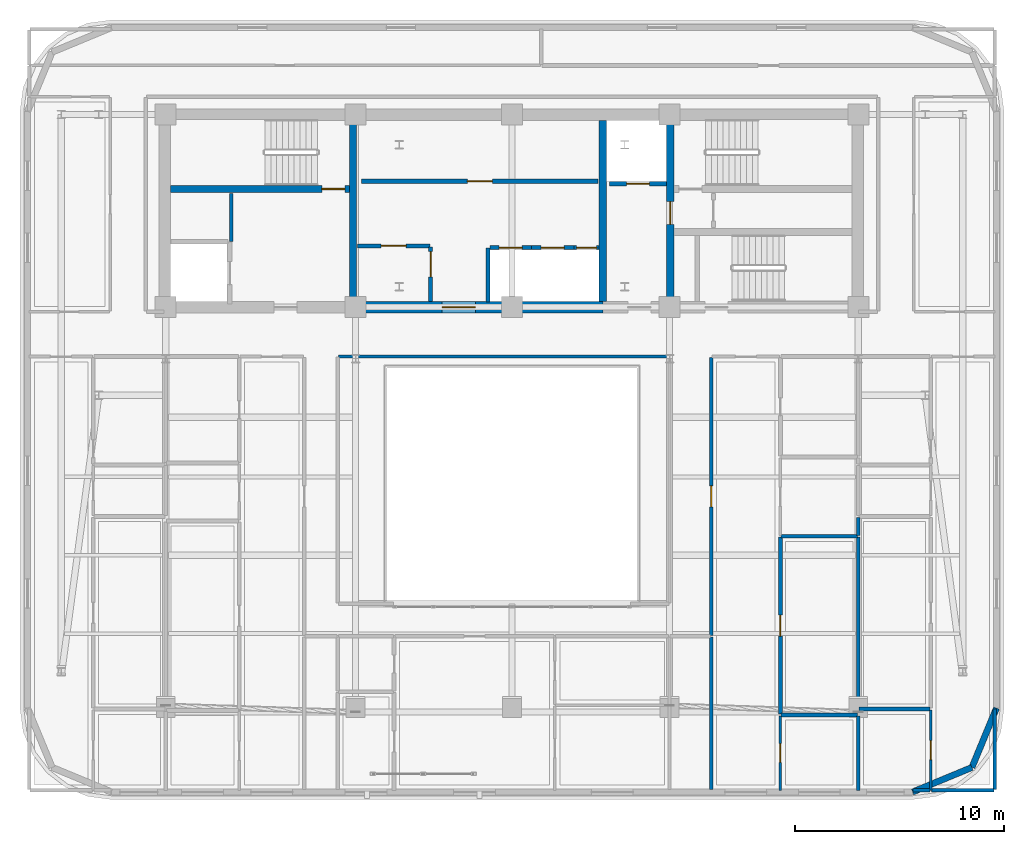
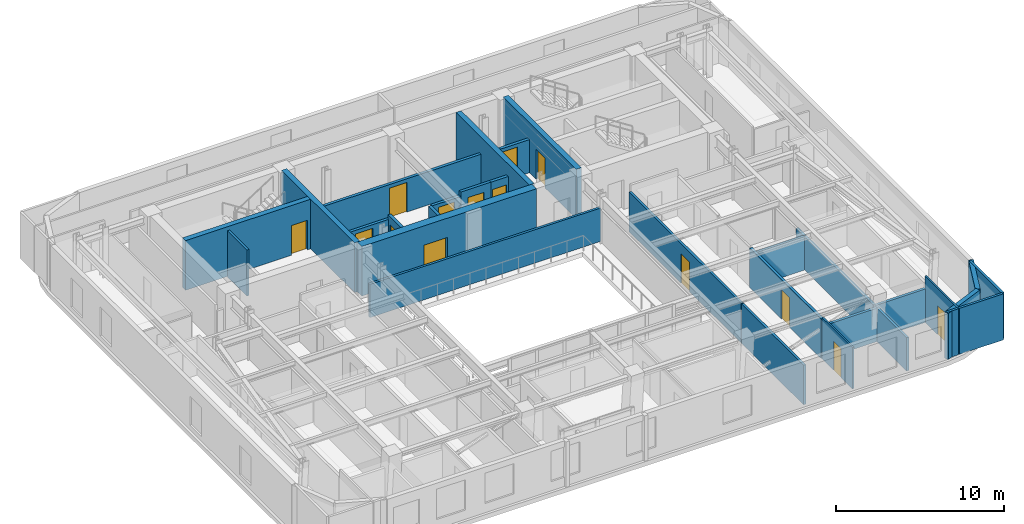
# One storey, part 8 of 14: 31 walls, 14 doors, 14 openings.
"""IFC4 building model written with IfcOpenShell, lengths in metres."""

import ifcopenshell
import ifcopenshell.guid

model = None  # the IFC model being written
_history = None  # IfcOwnerHistory: only IFC2X3 demands one
_inside = {}  # id of a spatial element -> (the spatial element, [elements in it])
_under = {}  # id of a project, library or spatial element -> (it, [spatial elements below it])
_declared = {}  # id of a project -> (the project, [libraries it declares])
_typed = {}  # id of a type object -> (the type object, [elements of that type])
_made_of = {}  # id of a material, layer set ... -> (it, [elements and type objects made of it])


def new_model(schema):
    """Start an empty IFC model of exactly this schema.

    Asked for "IFC4X3", IfcOpenShell would pick the latest addendum, in which some entities
    have other attributes; the version numbers below select the first issue.
    IFC2X3 requires an IfcOwnerHistory on every rooted entity: one is made here for all.
    """
    global model, _history
    if schema == "IFC4X3":
        model = ifcopenshell.file(schema_version=(4, 3, 0, 0))
    else:
        model = ifcopenshell.file(schema=schema)
    _inside.clear()
    _under.clear()
    _declared.clear()
    _typed.clear()
    _made_of.clear()
    _history = None
    if model.schema == "IFC2X3":
        org = make("IfcOrganization", Name="unknown")
        user = make(
            "IfcPersonAndOrganization",
            ThePerson=make("IfcPerson", FamilyName="unknown"),
            TheOrganization=org,
        )
        app = make(
            "IfcApplication",
            ApplicationDeveloper=org,
            Version="unknown",
            ApplicationFullName="unknown",
            ApplicationIdentifier="unknown",
        )
        _history = make(
            "IfcOwnerHistory",
            OwningUser=user,
            OwningApplication=app,
            ChangeAction="ADDED",
            CreationDate=0,
        )
    return model


def make(cls, **values):
    """One entity of the class cls with the attributes given. An attribute that is None is left unset."""
    return model.create_entity(
        cls, **{name: value for name, value in values.items() if value is not None}
    )


def rooted(cls, **values):
    """An entity with a GlobalId (a new one), such as an element, a storey or a relation."""
    return make(cls, GlobalId=ifcopenshell.guid.new(), OwnerHistory=_history, **values)


def si_unit(unit_type, name, prefix=None):
    """IfcSIUnit, for example si_unit("LENGTHUNIT", "METRE", prefix="MILLI")."""
    return make("IfcSIUnit", UnitType=unit_type, Prefix=prefix, Name=name)


def assignment(units):
    """IfcUnitAssignment: the units of a project."""
    return None if units is None else make("IfcUnitAssignment", Units=units)


def point(xyz):
    """IfcCartesianPoint."""
    return None if xyz is None else make("IfcCartesianPoint", Coordinates=xyz)


def direction(xyz):
    """IfcDirection."""
    return None if xyz is None else make("IfcDirection", DirectionRatios=xyz)


def frame(location, z_axis=None, x_axis=None):
    """IfcAxis2Placement3D, a coordinate frame: its origin and axes. An axis left out is left unset."""
    return make(
        "IfcAxis2Placement3D",
        Location=point(location),
        Axis=direction(z_axis),
        RefDirection=direction(x_axis),
    )


def frame_2d(location, x_axis=None):
    """IfcAxis2Placement2D, a coordinate frame in the plane: its origin and x axis."""
    return make(
        "IfcAxis2Placement2D", Location=point(location), RefDirection=direction(x_axis)
    )


def origin():
    """The frame at (0, 0, 0) with its axes left unset."""
    return frame((0.0, 0.0, 0.0))


def place(relative_to, where):
    """IfcLocalPlacement: puts the frame where relative to a parent placement (None: the world)."""
    return make(
        "IfcLocalPlacement", PlacementRelTo=relative_to, RelativePlacement=where
    )


def context(
    kind, dimensions, precision=None, world=None, true_north=None, identifier=None
):
    """IfcGeometricRepresentationContext, for example the 3D "Model" context."""
    return make(
        "IfcGeometricRepresentationContext",
        ContextIdentifier=identifier,
        ContextType=kind,
        CoordinateSpaceDimension=dimensions,
        Precision=precision,
        WorldCoordinateSystem=world,
        TrueNorth=true_north,
    )


def subcontext(parent, identifier, kind, view, scale=None):
    """IfcGeometricRepresentationSubContext, for example "Body" below "Model"."""
    return make(
        "IfcGeometricRepresentationSubContext",
        ContextIdentifier=identifier,
        ContextType=kind,
        ParentContext=parent,
        TargetScale=scale,
        TargetView=view,
    )


def project(units=None, contexts=None):
    """IfcProject with its units and contexts."""
    return rooted(
        "IfcProject",
        Name="project",
        RepresentationContexts=contexts,
        UnitsInContext=assignment(units),
    )


def spatial(cls, under=None, at=None, **own):
    """A site, building, storey or space (cls), placed at a placement, below another one or the project."""
    s = rooted(cls, ObjectPlacement=at, **own)
    if under is not None:
        _under.setdefault(under.id(), (under, []))[1].append(s)
    return s


def profile(cls, at=None, kind="AREA", **sizes):
    """A parametric profile (cls). Its sizes go by their IFC names, for example OverallWidth=200.0."""
    return make(cls, ProfileType=kind, Position=at, **sizes)


def rectangle(**sizes):
    """IfcRectangleProfileDef."""
    return profile("IfcRectangleProfileDef", **sizes)


def extrude(swept, where, along, depth):
    """IfcExtrudedAreaSolid: the profile swept, set in the frame where, extruded along a direction by depth."""
    return make(
        "IfcExtrudedAreaSolid",
        SweptArea=swept,
        Position=where,
        ExtrudedDirection=direction(along),
        Depth=depth,
    )


def shape(context_of_items, identifier, shape_type, items):
    """IfcShapeRepresentation: the items that make up one representation, for example the "Body"."""
    return make(
        "IfcShapeRepresentation",
        ContextOfItems=context_of_items,
        RepresentationIdentifier=identifier,
        RepresentationType=shape_type,
        Items=items,
    )


def material(Name=None, Category=None):
    """IfcMaterial."""
    return make("IfcMaterial", Name=Name, Category=Category)


def layer(
    of_material, thickness, ventilated=None, Name=None, Category=None, Priority=None
):
    """IfcMaterialLayer: one layer of a wall or slab, of a material (None: an air gap)."""
    return make(
        "IfcMaterialLayer",
        Material=of_material,
        LayerThickness=thickness,
        IsVentilated=ventilated,
        Name=Name,
        Category=Category,
        Priority=Priority,
    )


def layer_set(layers, Name=None):
    """IfcMaterialLayerSet."""
    return make("IfcMaterialLayerSet", MaterialLayers=layers, LayerSetName=Name)


def made_of(thing, what):
    """Note that an element or type object is made of a material, layer set ...; save() writes the relation."""
    if what is not None:
        _made_of.setdefault(what.id(), (what, []))[1].append(thing)
    return thing


def type_object(cls, material=None, **own):
    """A type object (cls), such as IfcWallType, which elements share."""
    return made_of(rooted(cls, **own), material)


def element(
    cls,
    number,
    at=None,
    inside=None,
    cuts=None,
    type_object=None,
    material=None,
    context=None,
    identifier="Body",
    shape_type=None,
    held_by="IfcProductDefinitionShape",
    body=None,
    shapes=None,
    **own,
):
    """One element of the class cls, such as IfcWall. Its Tag is "e" and its number.

    at: its placement. inside: the storey or other place that contains it. cuts: it is an
    opening in that element (IfcRelVoidsElement). A single representation is given by context,
    identifier, shape_type and body (its items); several are given by shapes. held_by: the class
    of the entity that holds the representations. save() writes the other relations.
    """
    e = rooted(cls, Tag="e%d" % number, ObjectPlacement=at, **own)
    if body is not None:
        shapes = [shape(context, identifier, shape_type, body)]
    if shapes is not None:
        e.Representation = make(held_by, Representations=shapes)
    if inside is not None:
        _inside.setdefault(inside.id(), (inside, []))[1].append(e)
    if cuts is not None:
        rooted(
            "IfcRelVoidsElement", RelatingBuildingElement=cuts, RelatedOpeningElement=e
        )
    if type_object is not None:
        _typed.setdefault(type_object.id(), (type_object, []))[1].append(e)
    return made_of(e, material)


def fill(opening, filler):
    """IfcRelFillsElement: the door or window that sits in an opening."""
    return rooted(
        "IfcRelFillsElement",
        RelatingOpeningElement=opening,
        RelatedBuildingElement=filler,
    )


def aggregate(whole, parts):
    """IfcRelAggregates: a whole, such as a stair, and the parts it consists of."""
    return rooted("IfcRelAggregates", RelatingObject=whole, RelatedObjects=parts)


def save(model, path):
    """Write the relations noted so far, then the file.

    IfcRelAggregates (storeys below a building ...), IfcRelContainedInSpatialStructure (elements
    in a storey), IfcRelDefinesByType, IfcRelAssociatesMaterial and IfcRelDeclares: one each for
    every whole, place, type object, material and project.
    """
    for whole, parts in _under.values():
        aggregate(whole, parts)
    for where, things in _inside.values():
        rooted(
            "IfcRelContainedInSpatialStructure",
            RelatedElements=things,
            RelatingStructure=where,
        )
    for kind, things in _typed.values():
        rooted("IfcRelDefinesByType", RelatedObjects=things, RelatingType=kind)
    for what, things in _made_of.values():
        rooted("IfcRelAssociatesMaterial", RelatedObjects=things, RelatingMaterial=what)
    for by, libraries in _declared.values():
        rooted("IfcRelDeclares", RelatingContext=by, RelatedDefinitions=libraries)
    model.write(path)


model = new_model("IFC4")

# Units and contexts
model_context = context("Model", 3, precision=1e-05, world=origin(), true_north=direction((0.0, 1.0)))
body_context = subcontext(model_context, "Body", "Model", "MODEL_VIEW")
ifc_project = project(units=[si_unit("LENGTHUNIT", "METRE"), si_unit("AREAUNIT", "SQUARE_METRE"), si_unit("VOLUMEUNIT", "CUBIC_METRE"), si_unit("PLANEANGLEUNIT", "RADIAN"), si_unit("MASSUNIT", "GRAM", prefix="KILO")], contexts=[model_context])

# Site, building, storey
site_placement = place(None, origin())
site = spatial("IfcSite", under=ifc_project, at=site_placement, CompositionType="ELEMENT")
building_placement = place(site_placement, origin())
building = spatial("IfcBuilding", under=site, at=building_placement, Name="Zarnavel Station Tower", CompositionType="ELEMENT")
storey_placement = place(building_placement, frame((0.0, 0.0, 193.199951171875)))
storey = spatial("IfcBuildingStorey", under=building, at=storey_placement, Name="L52", CompositionType="ELEMENT", Elevation=193.199951171875)

# Walls
ifc_material_1 = material(Name="Concrete C50/60", Category="concrete")
ifc_layer_1 = layer(ifc_material_1, 0.35009765625)
ifc_layer_set_1 = layer_set([ifc_layer_1], Name="CW_350")
wall_type_1 = type_object("IfcWallType", Name="CW_350", PredefinedType="SHEAR", material=ifc_layer_set_1)
for number, where, z_axis, x_axis, name in (
    (1, (21.179931640625, 28.094970703125, 0.0), (0.0, 0.0, 1.0), (0.0, 1.0, 0.0), "L52 Rear Core Shear Wall DIV-W"),
    (2, (33.14990234375, 28.094970703125, 0.0), (0.0, 0.0, 1.0), (0.0, 1.0, 0.0), "L52 Rear Core Shear Wall DIV-E"),
):
    element("IfcWall", number, at=place(storey_placement, frame(where, z_axis=z_axis, x_axis=x_axis)), inside=storey, type_object=wall_type_1, Name=name, PredefinedType="SHEAR", context=body_context, shape_type="SweptSolid", body=[
        extrude(rectangle(XDim=8.679931640625, YDim=0.35009765625, at=frame_2d((4.33984375, 0.0))), origin(), (0.0, 0.0, 1.0), 3.60009765625),
    ])

# Wall, opening, door
wall_1_placement = place(storey_placement, frame((36.3798828125, 28.094970703125, 0.0), z_axis=(0.0, 0.0, 1.0), x_axis=(0.0, 1.0, 0.0)))
wall_1 = element("IfcWall", 3, at=wall_1_placement, inside=storey, type_object=wall_type_1, Name="L52 Rear Core Shear Wall DIV-S2", PredefinedType="SHEAR", context=body_context, shape_type="SweptSolid", body=[
    extrude(rectangle(XDim=8.679931640625, YDim=0.35009765625, at=frame_2d((4.33984375, 0.0))), origin(), (0.0, 0.0, 1.0), 3.60009765625),
])
opening_1_placement = place(wall_1_placement, frame((3.68505859375, 0.0, 0.0)))
opening_1 = element("IfcOpeningElement", 4, at=opening_1_placement, cuts=wall_1, Name="Opening FD01", PredefinedType="OPENING", context=body_context, shape_type="SweptSolid", body=[
    extrude(rectangle(XDim=1.10009765625, YDim=2.14990234375, at=frame_2d((0.550048828125, 1.074951171875))), frame((0.0, 0.18505859375, 0.0), z_axis=(0.0, -1.0, 0.0), x_axis=(1.0, 0.0, 0.0)), (0.0, 0.0, 1.0), 0.3701171875),
])
ifc_material_2 = material(Name="Painted Galvanised Steel and Hardwood Leaf", Category="steel")
door_type_1 = type_object("IfcDoorType", Name="ID_STAIR_1100", OperationType="NOTDEFINED", PredefinedType="DOOR", material=ifc_material_2)
door_1_placement = place(opening_1_placement, origin())
door_1 = element("IfcDoor", 5, at=door_1_placement, inside=storey, type_object=door_type_1, Name="L52 East Stair Vestibule Fire Door", OperationType="SINGLE_SWING_LEFT", OverallHeight=2.14990234375, OverallWidth=1.10009765625, PredefinedType="DOOR", context=body_context, shape_type="SweptSolid", body=[
    extrude(rectangle(XDim=1.10009765625, YDim=2.14990234375, at=frame_2d((0.550048828125, 1.074951171875))), frame((0.0, 0.02490234375, 0.0), z_axis=(0.0, -1.0, 0.0), x_axis=(1.0, 0.0, 0.0)), (0.0, 0.0, 1.0), 0.050048828125),
])
fill(opening_1, door_1)

wall_2_placement = place(storey_placement, frame((21.0048828125, 33.47998046875, 0.0), z_axis=(0.0, 0.0, 1.0), x_axis=(-1.0, 0.0, 0.0)))
wall_2 = element("IfcWall", 6, at=wall_2_placement, inside=storey, type_object=wall_type_1, Name="L52 Rear Core Shear Wall DIV-H1", PredefinedType="SHEAR", context=body_context, shape_type="SweptSolid", body=[
    extrude(rectangle(XDim=8.579833984375, YDim=0.35009765625, at=frame_2d((4.2900390625, 0.0))), origin(), (0.0, 0.0, 1.0), 3.60009765625),
])
opening_2_placement = place(wall_2_placement, frame((0.219970703125, 0.0, 0.0)))
opening_2 = element("IfcOpeningElement", 7, at=opening_2_placement, cuts=wall_2, Name="Opening FD01", PredefinedType="OPENING", context=body_context, shape_type="SweptSolid", body=[
    extrude(rectangle(XDim=1.10009765625, YDim=2.14990234375, at=frame_2d((0.550048828125, 1.074951171875))), frame((0.0, 0.18505859375, 0.0), z_axis=(0.0, -1.0, 0.0), x_axis=(1.0, 0.0, 0.0)), (0.0, 0.0, 1.0), 0.3701171875),
])
door_2_placement = place(opening_2_placement, origin())
door_2 = element("IfcDoor", 8, at=door_2_placement, inside=storey, type_object=door_type_1, Name="L52 Stair ST1 Lobby Fire Door", OperationType="SINGLE_SWING_LEFT", OverallHeight=2.14990234375, OverallWidth=1.10009765625, PredefinedType="DOOR", context=body_context, shape_type="SweptSolid", body=[
    extrude(rectangle(XDim=1.10009765625, YDim=2.14990234375, at=frame_2d((0.550048828125, 1.074951171875))), frame((0.0, 0.02490234375, 0.0), z_axis=(0.0, -1.0, 0.0), x_axis=(1.0, 0.0, 0.0)), (0.0, 0.0, 1.0), 0.050048828125),
])
fill(opening_2, door_2)

ifc_material_3 = material(Name="Concrete C50/60", Category="concrete")
ifc_layer_2 = layer(ifc_material_3, 0.550048828125)
ifc_layer_set_2 = layer_set([ifc_layer_2], Name="CW_550")
wall_type_2 = type_object("IfcWallType", Name="CW_550", PredefinedType="SHEAR", material=ifc_layer_set_2)
wall_3_placement = place(storey_placement, frame((33.14990234375, 27.820068359375, 0.0), z_axis=(0.0, 0.0, 1.0), x_axis=(-1.0, 0.0, 0.0)))
wall_3 = element("IfcWall", 9, at=wall_3_placement, inside=storey, type_object=wall_type_2, Name="L52 Rear Core Shear Wall S-M", PredefinedType="SHEAR", context=body_context, shape_type="SweptSolid", body=[
    extrude(rectangle(XDim=11.969970703125, YDim=0.550048828125, at=frame_2d((5.98486328125, 0.0))), origin(), (0.0, 0.0, 1.0), 3.60009765625),
])
opening_3_placement = place(wall_3_placement, frame((6.10009765625, 0.0, 0.0)))
opening_3 = element("IfcOpeningElement", 10, at=opening_3_placement, cuts=wall_3, Name="Opening ID03", PredefinedType="OPENING", context=body_context, shape_type="SweptSolid", body=[
    extrude(rectangle(XDim=1.60009765625, YDim=2.199951171875, at=frame_2d((0.800048828125, 1.10009765625))), frame((0.0, 0.284912109375, 0.0), z_axis=(0.0, -1.0, 0.0), x_axis=(1.0, 0.0, 0.0)), (0.0, 0.0, 1.0), 0.570068359375),
])
ifc_material_4 = material(Name="Painted Galvanised Steel and Hardwood Leaf", Category="steel")
door_type_2 = type_object("IfcDoorType", Name="ID_PUBLIC_1600", OperationType="DOUBLE_DOOR_SINGLE_SWING", PredefinedType="DOOR", material=ifc_material_4)
door_3_placement = place(opening_3_placement, origin())
door_3 = element("IfcDoor", 11, at=door_3_placement, inside=storey, type_object=door_type_2, Name="L52 Passenger Lift Lobby Double Door", OperationType="SINGLE_SWING_LEFT", OverallHeight=2.199951171875, OverallWidth=1.60009765625, PredefinedType="DOOR", context=body_context, shape_type="SweptSolid", body=[
    extrude(rectangle(XDim=1.60009765625, YDim=2.199951171875, at=frame_2d((0.800048828125, 1.10009765625))), frame((0.0, 0.02490234375, 0.0), z_axis=(0.0, -1.0, 0.0), x_axis=(1.0, 0.0, 0.0)), (0.0, 0.0, 1.0), 0.050048828125),
])
fill(opening_3, door_3)

# Walls
ifc_material_5 = material(Name="Precast concrete C45/55 (Dark Basalt Finish)", Category="masonry")
ifc_layer_3 = layer(ifc_material_5, 0.300048828125)
ifc_layer_set_3 = layer_set([ifc_layer_3], Name="EW_BASALT_300")
wall_type_3 = type_object("IfcWallType", Name="EW_BASALT_300", PredefinedType="SOLIDWALL", material=ifc_layer_set_3)
wall_4_placement = place(storey_placement, frame((50.842529296875, 5.75732421875, 0.0), z_axis=(0.0, 0.0, 1.0), x_axis=(-0.92389884758, -0.382636798336, 0.0)))
element("IfcWall", 12, at=wall_4_placement, inside=storey, type_object=wall_type_3, Name="L52 Exterior Basalt Masonry Frame Wall 01", PredefinedType="SOLIDWALL", context=body_context, shape_type="SweptSolid", body=[
    extrude(rectangle(XDim=3.07666015625, YDim=0.300048828125, at=frame_2d((1.538330078125, 0.0))), origin(), (0.0, 0.0, 1.0), 3.340087890625),
])
wall_5_placement = place(storey_placement, frame((52.02001953125, 8.60009765625, 0.0), z_axis=(0.0, 0.0, 1.0), x_axis=(-0.382676475685, -0.923882414032, 0.0)))
element("IfcWall", 13, at=wall_5_placement, inside=storey, type_object=wall_type_3, Name="L52 Exterior Basalt Masonry Frame Wall 02", PredefinedType="SOLIDWALL", context=body_context, shape_type="SweptSolid", body=[
    extrude(rectangle(XDim=3.076904296875, YDim=0.300048828125, at=frame_2d((1.53857421875, 0.0))), origin(), (0.0, 0.0, 1.0), 3.340087890625),
])

# Wall, opening, door
ifc_material_6 = material(Name="Gypsum Twin-Stud Acoustic Fire Partition", Category="concrete")
ifc_layer_4 = layer(ifc_material_6, 0.159912109375)
ifc_layer_set_4 = layer_set([ifc_layer_4], Name="PT_DEMISE_160")
wall_type_4 = type_object("IfcWallType", Name="PT_DEMISE_160", PredefinedType="PARTITIONING", material=ifc_layer_set_4)
wall_6_placement = place(storey_placement, frame((38.35009765625, 12.090087890625, 0.0), z_axis=(0.0, 0.0, 1.0), x_axis=(0.0, 1.0, 0.0)))
wall_6 = element("IfcWall", 14, at=wall_6_placement, inside=storey, type_object=wall_type_4, Name="L52 Partition COR-AE-UE1LV", PredefinedType="PARTITIONING", context=body_context, shape_type="SweptSolid", body=[
    extrude(rectangle(XDim=13.31982421875, YDim=0.159912109375, at=frame_2d((6.659912109375, 0.0))), origin(), (0.0, 0.0, 1.0), 2.8701171875),
])
opening_4_placement = place(wall_6_placement, frame((6.159912109375, 0.0, 0.0)))
opening_4 = element("IfcOpeningElement", 15, at=opening_4_placement, cuts=wall_6, Name="Opening FD02", PredefinedType="OPENING", context=body_context, shape_type="SweptSolid", body=[
    extrude(rectangle(XDim=1.0, YDim=2.14990234375, at=frame_2d((0.5, 1.074951171875))), frame((0.0, 0.08984375, 0.0), z_axis=(0.0, -1.0, 0.0), x_axis=(1.0, 0.0, 0.0)), (0.0, 0.0, 1.0), 0.179931640625),
])
ifc_material_7 = material(Name="Painted Galvanised Steel and Hardwood Leaf", Category="steel")
door_type_3 = type_object("IfcDoorType", Name="ID_ENTRY_1000", OperationType="NOTDEFINED", PredefinedType="DOOR", material=ifc_material_7)
door_4_placement = place(opening_4_placement, origin())
door_4 = element("IfcDoor", 16, at=door_4_placement, inside=storey, type_object=door_type_3, Name="L52 Door COR-AE-UE1LV", OperationType="SINGLE_SWING_LEFT", OverallHeight=2.14990234375, OverallWidth=1.0, PredefinedType="DOOR", context=body_context, shape_type="SweptSolid", body=[
    extrude(rectangle(XDim=1.0, YDim=2.14990234375, at=frame_2d((0.5, 1.074951171875))), frame((0.0, 0.02490234375, 0.0), z_axis=(0.0, -1.0, 0.0), x_axis=(1.0, 0.0, 0.0)), (0.0, 0.0, 1.0), 0.050048828125),
])
fill(opening_4, door_4)

# Walls
wall_7_placement = place(storey_placement, frame((45.39990234375, 4.659912109375, 0.0), z_axis=(0.0, 0.0, 1.0), x_axis=(0.0, 1.0, 0.0)))
element("IfcWall", 17, at=wall_7_placement, inside=storey, type_object=wall_type_4, Name="L52 Partition UE1B1-UE2B1", PredefinedType="PARTITIONING", context=body_context, shape_type="SweptSolid", body=[
    extrude(rectangle(XDim=3.572998046875, YDim=0.159912109375, at=frame_2d((1.78662109375, 0.0))), origin(), (0.0, 0.0, 1.0), 2.420166015625),
])
wall_8_placement = place(storey_placement, frame((15.35009765625, 30.9599609375, 0.0), z_axis=(0.0, 0.0, 1.0), x_axis=(0.0, 1.0, 0.0)))
element("IfcWall", 18, at=wall_8_placement, inside=storey, type_object=wall_type_4, Name="L52 Enclosure Wall FFL1", PredefinedType="PARTITIONING", context=body_context, shape_type="SweptSolid", body=[
    extrude(rectangle(XDim=2.31005859375, YDim=0.159912109375, at=frame_2d((1.155029296875, 0.0))), origin(), (0.0, 0.0, 1.0), 3.340087890625),
])
wall_9_placement = place(storey_placement, frame((20.47998046875, 25.449951171875, 0.0), z_axis=(0.0, 0.0, 1.0), x_axis=(1.0, 0.0, 0.0)))
element("IfcWall", 19, at=wall_9_placement, inside=storey, type_object=wall_type_4, Name="L52 Enclosure Wall COR-S", PredefinedType="PARTITIONING", context=body_context, shape_type="SweptSolid", body=[
    extrude(rectangle(XDim=15.840087890625, YDim=0.159912109375, at=frame_2d((7.919921875, 0.0))), origin(), (0.0, 0.0, 1.0), 2.420166015625),
])
wall_10_placement = place(storey_placement, frame((38.35009765625, 4.68994140625, 0.0), z_axis=(0.0, 0.0, 1.0), x_axis=(0.0, 1.0, 0.0)))
element("IfcWall", 20, at=wall_10_placement, inside=storey, type_object=wall_type_4, Name="L52 Enclosure Wall UE1LV", PredefinedType="PARTITIONING", context=body_context, shape_type="SweptSolid", body=[
    extrude(rectangle(XDim=7.330078125, YDim=0.159912109375, at=frame_2d((3.6650390625, 0.0))), origin(), (0.0, 0.0, 1.0), 2.8701171875),
])
wall_11_placement = place(storey_placement, frame((48.89599609375, 4.659912109375, 0.0), z_axis=(0.0, 0.0, 1.0), x_axis=(1.0, 0.0, 0.0)))
element("IfcWall", 21, at=wall_11_placement, inside=storey, type_object=wall_type_4, Name="L52 Enclosure Wall UE2LV", PredefinedType="PARTITIONING", context=body_context, shape_type="SweptSolid", body=[
    extrude(rectangle(XDim=3.013916015625, YDim=0.159912109375, at=frame_2d((1.5068359375, 0.0))), origin(), (0.0, 0.0, 1.0), 3.340087890625),
])
wall_12_placement = place(storey_placement, frame((51.93994140625, 4.68994140625, 0.0), z_axis=(0.0, 0.0, 1.0), x_axis=(0.0, 1.0, 0.0)))
element("IfcWall", 22, at=wall_12_placement, inside=storey, type_object=wall_type_4, Name="L52 Enclosure Wall UE2LV", PredefinedType="PARTITIONING", context=body_context, shape_type="SweptSolid", body=[
    extrude(rectangle(XDim=3.880126953125, YDim=0.159912109375, at=frame_2d((1.93994140625, 0.0))), origin(), (0.0, 0.0, 1.0), 3.340087890625),
])
wall_13_placement = place(storey_placement, frame((48.030029296875, 4.659912109375, 0.0), z_axis=(0.0, 0.0, 1.0), x_axis=(1.0, 0.0, 0.0)))
element("IfcWall", 23, at=wall_13_placement, inside=storey, type_object=wall_type_4, Name="L52 Enclosure Wall UE2B1", PredefinedType="PARTITIONING", context=body_context, shape_type="SweptSolid", body=[
    extrude(rectangle(XDim=0.805908203125, YDim=0.159912109375, at=frame_2d((0.40283203125, 0.0))), origin(), (0.0, 0.0, 1.0), 3.340087890625),
])

# Wall, opening, door
ifc_material_8 = material(Name="Gypsum Metal-Stud Interior Partition", Category="concrete")
ifc_layer_5 = layer(ifc_material_8, 0.1201171875)
ifc_layer_set_5 = layer_set([ifc_layer_5], Name="PT_ROOM_120")
wall_type_5 = type_object("IfcWallType", Name="PT_ROOM_120", PredefinedType="PARTITIONING", material=ifc_layer_set_5)
wall_14_placement = place(storey_placement, frame((41.6630859375, 4.659912109375, 0.0), z_axis=(0.0, 0.0, 1.0), x_axis=(0.0, 1.0, 0.0)))
wall_14 = element("IfcWall", 24, at=wall_14_placement, inside=storey, type_object=wall_type_5, Name="L52 Partition UE1LV-UE1B1", PredefinedType="PARTITIONING", context=body_context, shape_type="SweptSolid", body=[
    extrude(rectangle(XDim=3.572998046875, YDim=0.1201171875, at=frame_2d((1.78662109375, 0.0))), origin(), (0.0, 0.0, 1.0), 3.0),
])
opening_5_placement = place(wall_14_placement, frame((1.33642578125, 0.0, 0.0)))
opening_5 = element("IfcOpeningElement", 25, at=opening_5_placement, cuts=wall_14, Name="Opening ID01", PredefinedType="OPENING", context=body_context, shape_type="SweptSolid", body=[
    extrude(rectangle(XDim=0.89990234375, YDim=2.10009765625, at=frame_2d((0.449951171875, 1.050048828125))), frame((0.0, 0.070068359375, 0.0), z_axis=(0.0, -1.0, 0.0), x_axis=(1.0, 0.0, 0.0)), (0.0, 0.0, 1.0), 0.14013671875),
])
ifc_material_9 = material(Name="Painted Galvanised Steel and Hardwood Leaf", Category="steel")
door_type_4 = type_object("IfcDoorType", Name="ID_ROOM_900", OperationType="NOTDEFINED", PredefinedType="DOOR", material=ifc_material_9)
door_5_placement = place(opening_5_placement, origin())
door_5 = element("IfcDoor", 26, at=door_5_placement, inside=storey, type_object=door_type_4, Name="L52 Door UE1LV-UE1B1", OperationType="SINGLE_SWING_LEFT", OverallHeight=2.10009765625, OverallWidth=0.89990234375, PredefinedType="DOOR", context=body_context, shape_type="SweptSolid", body=[
    extrude(rectangle(XDim=0.89990234375, YDim=2.10009765625, at=frame_2d((0.449951171875, 1.050048828125))), frame((0.0, 0.02490234375, 0.0), z_axis=(0.0, -1.0, 0.0), x_axis=(1.0, 0.0, 0.0)), (0.0, 0.0, 1.0), 0.050048828125),
])
fill(opening_5, door_5)

wall_15_placement = place(storey_placement, frame((48.865966796875, 4.659912109375, 0.0), z_axis=(0.0, 0.0, 1.0), x_axis=(0.0, 1.0, 0.0)))
wall_15 = element("IfcWall", 27, at=wall_15_placement, inside=storey, type_object=wall_type_5, Name="L52 Partition UE2LV-UE2B1", PredefinedType="PARTITIONING", context=body_context, shape_type="SweptSolid", body=[
    extrude(rectangle(XDim=3.85498046875, YDim=0.1201171875, at=frame_2d((1.927490234375, 0.0))), origin(), (0.0, 0.0, 1.0), 3.340087890625),
])
opening_6_placement = place(wall_15_placement, frame((1.4775390625, 0.0, 0.0)))
opening_6 = element("IfcOpeningElement", 28, at=opening_6_placement, cuts=wall_15, Name="Opening ID01", PredefinedType="OPENING", context=body_context, shape_type="SweptSolid", body=[
    extrude(rectangle(XDim=0.89990234375, YDim=2.10009765625, at=frame_2d((0.449951171875, 1.050048828125))), frame((0.0, 0.070068359375, 0.0), z_axis=(0.0, -1.0, 0.0), x_axis=(1.0, 0.0, 0.0)), (0.0, 0.0, 1.0), 0.14013671875),
])
door_6_placement = place(opening_6_placement, origin())
door_6 = element("IfcDoor", 29, at=door_6_placement, inside=storey, type_object=door_type_4, Name="L52 Door UE2LV-UE2B1", OperationType="SINGLE_SWING_LEFT", OverallHeight=2.10009765625, OverallWidth=0.89990234375, PredefinedType="DOOR", context=body_context, shape_type="SweptSolid", body=[
    extrude(rectangle(XDim=0.89990234375, YDim=2.10009765625, at=frame_2d((0.449951171875, 1.050048828125))), frame((0.0, 0.02490234375, 0.0), z_axis=(0.0, -1.0, 0.0), x_axis=(1.0, 0.0, 0.0)), (0.0, 0.0, 1.0), 0.050048828125),
])
fill(opening_6, door_6)

ifc_material_10 = material(Name="Precast concrete C45/55 (Fire Shaft Blockwork)", Category="masonry")
ifc_layer_6 = layer(ifc_material_10, 0.199951171875)
ifc_layer_set_6 = layer_set([ifc_layer_6], Name="PT_SHAFT_200")
wall_type_6 = type_object("IfcWallType", Name="PT_SHAFT_200", PredefinedType="PARTITIONING", material=ifc_layer_set_6)
wall_16_placement = place(storey_placement, frame((33.47509765625, 33.72998046875, 0.0), z_axis=(0.0, 0.0, 1.0), x_axis=(1.0, 0.0, 0.0)))
wall_16 = element("IfcWall", 30, at=wall_16_placement, inside=storey, type_object=wall_type_6, Name="L52 Lift FFL-02 Shaft Front Wall", PredefinedType="PARTITIONING", context=body_context, shape_type="SweptSolid", body=[
    extrude(rectangle(XDim=2.724853515625, YDim=0.199951171875, at=frame_2d((1.3623046875, 0.0))), origin(), (0.0, 0.0, 1.0), 2.41015625),
])
opening_7_placement = place(wall_16_placement, frame((0.8125, 0.0, 0.0)))
opening_7 = element("IfcOpeningElement", 31, at=opening_7_placement, cuts=wall_16, Name="Opening LD01", PredefinedType="OPENING", context=body_context, shape_type="SweptSolid", body=[
    extrude(rectangle(XDim=1.10009765625, YDim=2.14990234375, at=frame_2d((0.550048828125, 1.074951171875))), frame((0.0, 0.10986328125, 0.0), z_axis=(0.0, -1.0, 0.0), x_axis=(1.0, 0.0, 0.0)), (0.0, 0.0, 1.0), 0.219970703125),
])
ifc_material_11 = material(Name="Painted Galvanised Steel and Hardwood Leaf", Category="steel")
door_type_5 = type_object("IfcDoorType", Name="LD_FF_1100", OperationType="DOUBLE_DOOR_SLIDING", PredefinedType="DOOR", material=ifc_material_11)
door_7_placement = place(opening_7_placement, origin())
door_7 = element("IfcDoor", 32, at=door_7_placement, inside=storey, type_object=door_type_5, Name="L52 Lift FFL-02 Sliding Landing Door", OperationType="DOUBLE_DOOR_SLIDING", OverallHeight=2.14990234375, OverallWidth=1.10009765625, PredefinedType="DOOR", context=body_context, shape_type="SweptSolid", body=[
    extrude(rectangle(XDim=1.10009765625, YDim=2.14990234375, at=frame_2d((0.550048828125, 1.074951171875))), frame((0.0, 0.02490234375, 0.0), z_axis=(0.0, -1.0, 0.0), x_axis=(1.0, 0.0, 0.0)), (0.0, 0.0, 1.0), 0.050048828125),
])
fill(opening_7, door_7)

wall_17_placement = place(storey_placement, frame((27.75, 30.669921875, 0.0), z_axis=(0.0, 0.0, 1.0), x_axis=(1.0, 0.0, 0.0)))
wall_17 = element("IfcWall", 33, at=wall_17_placement, inside=storey, type_object=wall_type_6, Name="L52 Lift PL-H1 Shaft Front Wall", PredefinedType="PARTITIONING", context=body_context, shape_type="SweptSolid", body=[
    extrude(rectangle(XDim=1.97509765625, YDim=0.199951171875, at=frame_2d((0.987548828125, 0.0))), origin(), (0.0, 0.0, 1.0), 2.41015625),
])
opening_8_placement = place(wall_17_placement, frame((0.4375, 0.0, 0.0)))
opening_8 = element("IfcOpeningElement", 34, at=opening_8_placement, cuts=wall_17, Name="Opening LD02", PredefinedType="OPENING", context=body_context, shape_type="SweptSolid", body=[
    extrude(rectangle(XDim=1.10009765625, YDim=2.14990234375, at=frame_2d((0.550048828125, 1.074951171875))), frame((0.0, 0.10986328125, 0.0), z_axis=(0.0, -1.0, 0.0), x_axis=(1.0, 0.0, 0.0)), (0.0, 0.0, 1.0), 0.219970703125),
])
ifc_material_12 = material(Name="Painted Galvanised Steel and Hardwood Leaf", Category="steel")
door_type_6 = type_object("IfcDoorType", Name="LD_PAX_1100", OperationType="DOUBLE_DOOR_SLIDING", PredefinedType="DOOR", material=ifc_material_12)
door_8_placement = place(opening_8_placement, origin())
door_8 = element("IfcDoor", 35, at=door_8_placement, inside=storey, type_object=door_type_6, Name="L52 Lift PL-H1 Sliding Landing Door", OperationType="DOUBLE_DOOR_SLIDING", OverallHeight=2.14990234375, OverallWidth=1.10009765625, PredefinedType="DOOR", context=body_context, shape_type="SweptSolid", body=[
    extrude(rectangle(XDim=1.10009765625, YDim=2.14990234375, at=frame_2d((0.550048828125, 1.074951171875))), frame((0.0, 0.02490234375, 0.0), z_axis=(0.0, -1.0, 0.0), x_axis=(1.0, 0.0, 0.0)), (0.0, 0.0, 1.0), 0.050048828125),
])
fill(opening_8, door_8)

# Wall
wall_18_placement = place(storey_placement, frame((27.64990234375, 28.070068359375, 0.0), z_axis=(0.0, 0.0, 1.0), x_axis=(0.0, 1.0, 0.0)))
element("IfcWall", 36, at=wall_18_placement, inside=storey, type_object=wall_type_6, Name="L52 High-Rise Lift Bank West Shaft Wall", PredefinedType="PARTITIONING", context=body_context, shape_type="SweptSolid", body=[
    extrude(rectangle(XDim=2.579833984375, YDim=0.199951171875, at=frame_2d((1.2900390625, 0.0))), origin(), (0.0, 0.0, 1.0), 2.41015625),
])

# Wall, opening, door
wall_19_placement = place(storey_placement, frame((29.72509765625, 30.669921875, 0.0), z_axis=(0.0, 0.0, 1.0), x_axis=(1.0, 0.0, 0.0)))
wall_19 = element("IfcWall", 37, at=wall_19_placement, inside=storey, type_object=wall_type_6, Name="L52 Lift PL-H2 Shaft Front Wall", PredefinedType="PARTITIONING", context=body_context, shape_type="SweptSolid", body=[
    extrude(rectangle(XDim=2.0498046875, YDim=0.199951171875, at=frame_2d((1.02490234375, 0.0))), origin(), (0.0, 0.0, 1.0), 2.719970703125),
])
opening_9_placement = place(wall_19_placement, frame((0.47509765625, 0.0, 0.0)))
opening_9 = element("IfcOpeningElement", 38, at=opening_9_placement, cuts=wall_19, Name="Opening LD02", PredefinedType="OPENING", context=body_context, shape_type="SweptSolid", body=[
    extrude(rectangle(XDim=1.10009765625, YDim=2.14990234375, at=frame_2d((0.550048828125, 1.074951171875))), frame((0.0, 0.10986328125, 0.0), z_axis=(0.0, -1.0, 0.0), x_axis=(1.0, 0.0, 0.0)), (0.0, 0.0, 1.0), 0.219970703125),
])
door_9_placement = place(opening_9_placement, origin())
door_9 = element("IfcDoor", 39, at=door_9_placement, inside=storey, type_object=door_type_6, Name="L52 Lift PL-H2 Sliding Landing Door", OperationType="DOUBLE_DOOR_SLIDING", OverallHeight=2.14990234375, OverallWidth=1.10009765625, PredefinedType="DOOR", context=body_context, shape_type="SweptSolid", body=[
    extrude(rectangle(XDim=1.10009765625, YDim=2.14990234375, at=frame_2d((0.550048828125, 1.074951171875))), frame((0.0, 0.02490234375, 0.0), z_axis=(0.0, -1.0, 0.0), x_axis=(1.0, 0.0, 0.0)), (0.0, 0.0, 1.0), 0.050048828125),
])
fill(opening_9, door_9)

wall_20_placement = place(storey_placement, frame((31.77490234375, 30.669921875, 0.0), z_axis=(0.0, 0.0, 1.0), x_axis=(1.0, 0.0, 0.0)))
wall_20 = element("IfcWall", 40, at=wall_20_placement, inside=storey, type_object=wall_type_6, Name="L52 Lift PL-H3 Shaft Front Wall", PredefinedType="PARTITIONING", context=body_context, shape_type="SweptSolid", body=[
    extrude(rectangle(XDim=1.2001953125, YDim=0.199951171875, at=frame_2d((0.60009765625, 0.0))), origin(), (0.0, 0.0, 1.0), 2.719970703125),
])
opening_10_placement = place(wall_20_placement, frame((0.125, 0.0, 0.0)))
opening_10 = element("IfcOpeningElement", 41, at=opening_10_placement, cuts=wall_20, Name="Opening LD03", PredefinedType="OPENING", context=body_context, shape_type="SweptSolid", body=[
    extrude(rectangle(XDim=0.949951171875, YDim=2.14990234375, at=frame_2d((0.47509765625, 1.074951171875))), frame((0.0, 0.10986328125, 0.0), z_axis=(0.0, -1.0, 0.0), x_axis=(1.0, 0.0, 0.0)), (0.0, 0.0, 1.0), 0.219970703125),
])
ifc_material_13 = material(Name="Painted Galvanised Steel and Hardwood Leaf", Category="steel")
door_type_7 = type_object("IfcDoorType", Name="LD_PAX_0950", OperationType="DOUBLE_DOOR_SLIDING", PredefinedType="DOOR", material=ifc_material_13)
door_10_placement = place(opening_10_placement, origin())
door_10 = element("IfcDoor", 42, at=door_10_placement, inside=storey, type_object=door_type_7, Name="L52 Lift PL-H3 Sliding Landing Door", OperationType="DOUBLE_DOOR_SLIDING", OverallHeight=2.14990234375, OverallWidth=0.949951171875, PredefinedType="DOOR", context=body_context, shape_type="SweptSolid", body=[
    extrude(rectangle(XDim=0.949951171875, YDim=2.14990234375, at=frame_2d((0.47509765625, 1.074951171875))), frame((0.0, 0.02490234375, 0.0), z_axis=(0.0, -1.0, 0.0), x_axis=(1.0, 0.0, 0.0)), (0.0, 0.0, 1.0), 0.050048828125),
])
fill(opening_10, door_10)

wall_21_placement = place(storey_placement, frame((21.39990234375, 30.75, 0.0), z_axis=(0.0, 0.0, 1.0), x_axis=(1.0, 0.0, 0.0)))
wall_21 = element("IfcWall", 43, at=wall_21_placement, inside=storey, type_object=wall_type_6, Name="L52 Partition LLOB-CS1", PredefinedType="PARTITIONING", context=body_context, shape_type="SweptSolid", body=[
    extrude(rectangle(XDim=3.460205078125, YDim=0.199951171875, at=frame_2d((1.72998046875, 0.0))), origin(), (0.0, 0.0, 1.0), 2.41015625),
])
opening_11_placement = place(wall_21_placement, frame((1.1298828125, 0.0, 0.0)))
opening_11 = element("IfcOpeningElement", 44, at=opening_11_placement, cuts=wall_21, Name="Opening FD03", PredefinedType="OPENING", context=body_context, shape_type="SweptSolid", body=[
    extrude(rectangle(XDim=1.199951171875, YDim=2.14990234375, at=frame_2d((0.60009765625, 1.074951171875))), frame((0.0, 0.10986328125, 0.0), z_axis=(0.0, -1.0, 0.0), x_axis=(1.0, 0.0, 0.0)), (0.0, 0.0, 1.0), 0.219970703125),
])
ifc_material_14 = material(Name="Painted Galvanised Steel and Hardwood Leaf", Category="steel")
door_type_8 = type_object("IfcDoorType", Name="ID_PLANT_1200", OperationType="NOTDEFINED", PredefinedType="DOOR", material=ifc_material_14)
door_11_placement = place(opening_11_placement, origin())
door_11 = element("IfcDoor", 45, at=door_11_placement, inside=storey, type_object=door_type_8, Name="L52 Door LLOB-CS1", OperationType="SINGLE_SWING_LEFT", OverallHeight=2.14990234375, OverallWidth=1.199951171875, PredefinedType="DOOR", context=body_context, shape_type="SweptSolid", body=[
    extrude(rectangle(XDim=1.199951171875, YDim=2.14990234375, at=frame_2d((0.60009765625, 1.074951171875))), frame((0.0, 0.02490234375, 0.0), z_axis=(0.0, -1.0, 0.0), x_axis=(1.0, 0.0, 0.0)), (0.0, 0.0, 1.0), 0.050048828125),
])
fill(opening_11, door_11)

wall_22_placement = place(storey_placement, frame((21.590087890625, 33.85009765625, 0.0), z_axis=(0.0, 0.0, 1.0), x_axis=(1.0, 0.0, 0.0)))
wall_22 = element("IfcWall", 46, at=wall_22_placement, inside=storey, type_object=wall_type_6, Name="L52 Partition LLOB-FB2A", PredefinedType="PARTITIONING", context=body_context, shape_type="SweptSolid", body=[
    extrude(rectangle(XDim=11.33984375, YDim=0.199951171875, at=frame_2d((5.669921875, 0.0))), origin(), (0.0, 0.0, 1.0), 2.41015625),
])
opening_12_placement = place(wall_22_placement, frame((5.070068359375, 0.0, 0.0)))
opening_12 = element("IfcOpeningElement", 47, at=opening_12_placement, cuts=wall_22, Name="Opening FD03", PredefinedType="OPENING", context=body_context, shape_type="SweptSolid", body=[
    extrude(rectangle(XDim=1.199951171875, YDim=2.14990234375, at=frame_2d((0.60009765625, 1.074951171875))), frame((0.0, 0.10986328125, 0.0), z_axis=(0.0, -1.0, 0.0), x_axis=(1.0, 0.0, 0.0)), (0.0, 0.0, 1.0), 0.219970703125),
])
door_12_placement = place(opening_12_placement, origin())
door_12 = element("IfcDoor", 48, at=door_12_placement, inside=storey, type_object=door_type_8, Name="L52 Door LLOB-FB2A", OperationType="SINGLE_SWING_RIGHT", OverallHeight=2.14990234375, OverallWidth=1.199951171875, PredefinedType="DOOR", context=body_context, shape_type="SweptSolid", body=[
    extrude(rectangle(XDim=1.199951171875, YDim=2.14990234375, at=frame_2d((0.60009765625, 1.074951171875))), frame((0.0, 0.02490234375, 0.0), z_axis=(0.0, -1.0, 0.0), x_axis=(1.0, 0.0, 0.0)), (0.0, 0.0, 1.0), 0.050048828125),
])
fill(opening_12, door_12)

wall_23_placement = place(storey_placement, frame((24.89990234375, 30.7099609375, 0.0), z_axis=(0.0, 0.0, 1.0), x_axis=(0.0, -1.0, 0.0)))
wall_23 = element("IfcWall", 49, at=wall_23_placement, inside=storey, type_object=wall_type_6, Name="L52 Partition LLOBS-CS1", PredefinedType="PARTITIONING", context=body_context, shape_type="SweptSolid", body=[
    extrude(rectangle(XDim=2.619873046875, YDim=0.199951171875, at=frame_2d((1.31005859375, 0.0))), origin(), (0.0, 0.0, 1.0), 2.719970703125),
])
opening_13_placement = place(wall_23_placement, frame((0.235107421875, 0.0, 0.0)))
opening_13 = element("IfcOpeningElement", 50, at=opening_13_placement, cuts=wall_23, Name="Opening FD03", PredefinedType="OPENING", context=body_context, shape_type="SweptSolid", body=[
    extrude(rectangle(XDim=1.199951171875, YDim=2.14990234375, at=frame_2d((0.60009765625, 1.074951171875))), frame((0.0, 0.10986328125, 0.0), z_axis=(0.0, -1.0, 0.0), x_axis=(1.0, 0.0, 0.0)), (0.0, 0.0, 1.0), 0.219970703125),
])
door_13_placement = place(opening_13_placement, origin())
door_13 = element("IfcDoor", 51, at=door_13_placement, inside=storey, type_object=door_type_8, Name="L52 Door LLOBS-CS1", OperationType="SINGLE_SWING_LEFT", OverallHeight=2.14990234375, OverallWidth=1.199951171875, PredefinedType="DOOR", context=body_context, shape_type="SweptSolid", body=[
    extrude(rectangle(XDim=1.199951171875, YDim=2.14990234375, at=frame_2d((0.60009765625, 1.074951171875))), frame((0.0, 0.02490234375, 0.0), z_axis=(0.0, -1.0, 0.0), x_axis=(1.0, 0.0, 0.0)), (0.0, 0.0, 1.0), 0.050048828125),
])
fill(opening_13, door_13)

ifc_material_15 = material(Name="Moisture-Resistant Plumbing Chase Wall", Category="concrete")
ifc_layer_7 = layer(ifc_material_15, 0.179931640625)
ifc_layer_set_7 = layer_set([ifc_layer_7], Name="PW_PLUMB_180")
wall_type_7 = type_object("IfcWallType", Name="PW_PLUMB_180", PredefinedType="PLUMBINGWALL", material=ifc_layer_set_7)
wall_24_placement = place(storey_placement, frame((41.6630859375, 8.31298828125, 0.0), z_axis=(0.0, 0.0, 1.0), x_axis=(0.0, 1.0, 0.0)))
wall_24 = element("IfcWall", 52, at=wall_24_placement, inside=storey, type_object=wall_type_7, Name="L52 Partition UE1LV-UE1KT", PredefinedType="PLUMBINGWALL", context=body_context, shape_type="SweptSolid", body=[
    extrude(rectangle(XDim=8.48291015625, YDim=0.179931640625, at=frame_2d((4.241455078125, 0.0))), origin(), (0.0, 0.0, 1.0), 2.8701171875),
])
opening_14_placement = place(wall_24_placement, frame((3.741455078125, 0.0, 0.0)))
opening_14 = element("IfcOpeningElement", 53, at=opening_14_placement, cuts=wall_24, Name="Opening FD02", PredefinedType="OPENING", context=body_context, shape_type="SweptSolid", body=[
    extrude(rectangle(XDim=1.0, YDim=2.14990234375, at=frame_2d((0.5, 1.074951171875))), frame((0.0, 0.099853515625, 0.0), z_axis=(0.0, -1.0, 0.0), x_axis=(1.0, 0.0, 0.0)), (0.0, 0.0, 1.0), 0.199951171875),
])
door_14_placement = place(opening_14_placement, origin())
door_14 = element("IfcDoor", 54, at=door_14_placement, inside=storey, type_object=door_type_3, Name="L52 Door UE1LV-UE1KT", OperationType="SINGLE_SWING_RIGHT", OverallHeight=2.14990234375, OverallWidth=1.0, PredefinedType="DOOR", context=body_context, shape_type="SweptSolid", body=[
    extrude(rectangle(XDim=1.0, YDim=2.14990234375, at=frame_2d((0.5, 1.074951171875))), frame((0.0, 0.02490234375, 0.0), z_axis=(0.0, -1.0, 0.0), x_axis=(1.0, 0.0, 0.0)), (0.0, 0.0, 1.0), 0.050048828125),
])
fill(opening_14, door_14)

# Walls
for number, where, z_axis, x_axis, name in (
    (55, (41.702880859375, 8.27294921875, 0.0), (0.0, 0.0, 1.0), (1.0, 0.0, 0.0), "L52 Partition UE1B1-UE1KT"),
    (56, (41.702880859375, 16.8359375, 0.0), (0.0, 0.0, 1.0), (1.0, 0.0, 0.0), "L52 Partition UE1KT-UE1UT"),
):
    element("IfcWall", number, at=place(storey_placement, frame(where, z_axis=z_axis, x_axis=x_axis)), inside=storey, type_object=wall_type_7, Name=name, PredefinedType="PLUMBINGWALL", context=body_context, shape_type="SweptSolid", body=[
        extrude(rectangle(XDim=3.6572265625, YDim=0.179931640625, at=frame_2d((1.82861328125, 0.0))), origin(), (0.0, 0.0, 1.0), 2.420166015625),
    ])
wall_25_placement = place(storey_placement, frame((45.39990234375, 8.594970703125, 0.0), z_axis=(0.0, 0.0, 1.0), x_axis=(0.0, 1.0, 0.0)))
element("IfcWall", 57, at=wall_25_placement, inside=storey, type_object=wall_type_7, Name="L52 Partition UE1KT-UE2KT", PredefinedType="PLUMBINGWALL", context=body_context, shape_type="SweptSolid", body=[
    extrude(rectangle(XDim=8.200927734375, YDim=0.179931640625, at=frame_2d((4.1005859375, 0.0))), origin(), (0.0, 0.0, 1.0), 2.420166015625),
])
wall_26_placement = place(storey_placement, frame((45.39990234375, 16.8759765625, 0.0), z_axis=(0.0, 0.0, 1.0), x_axis=(0.0, 1.0, 0.0)))
element("IfcWall", 58, at=wall_26_placement, inside=storey, type_object=wall_type_7, Name="L52 Partition UE1UT-UE2KT", PredefinedType="PLUMBINGWALL", context=body_context, shape_type="SweptSolid", body=[
    extrude(rectangle(XDim=0.8720703125, YDim=0.179931640625, at=frame_2d((0.43603515625, 0.0))), origin(), (0.0, 0.0, 1.0), 2.420166015625),
])
wall_27_placement = place(storey_placement, frame((45.43994140625, 8.554931640625, 0.0), z_axis=(0.0, 0.0, 1.0), x_axis=(1.0, 0.0, 0.0)))
element("IfcWall", 59, at=wall_27_placement, inside=storey, type_object=wall_type_7, Name="L52 Partition UE2B1-UE2KT", PredefinedType="PLUMBINGWALL", context=body_context, shape_type="SweptSolid", body=[
    extrude(rectangle(XDim=3.385986328125, YDim=0.179931640625, at=frame_2d((1.69287109375, 0.0))), origin(), (0.0, 0.0, 1.0), 2.420166015625),
])

save(model, "model.ifc")
